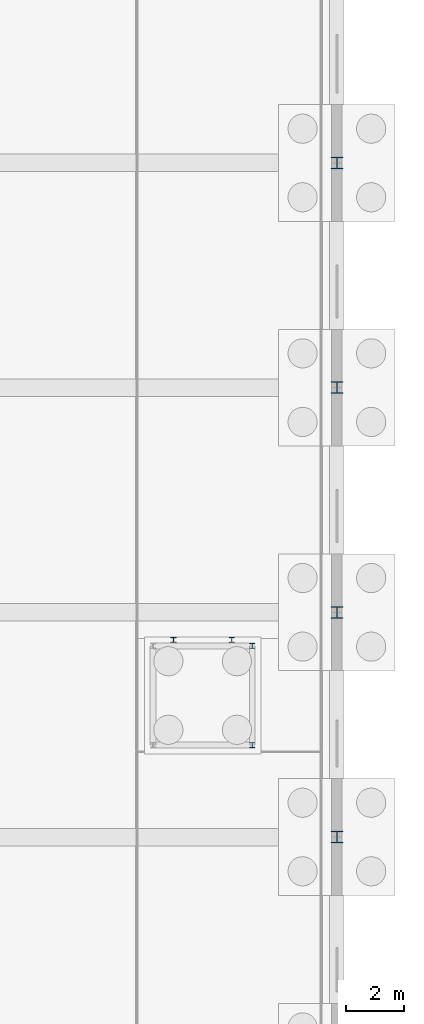
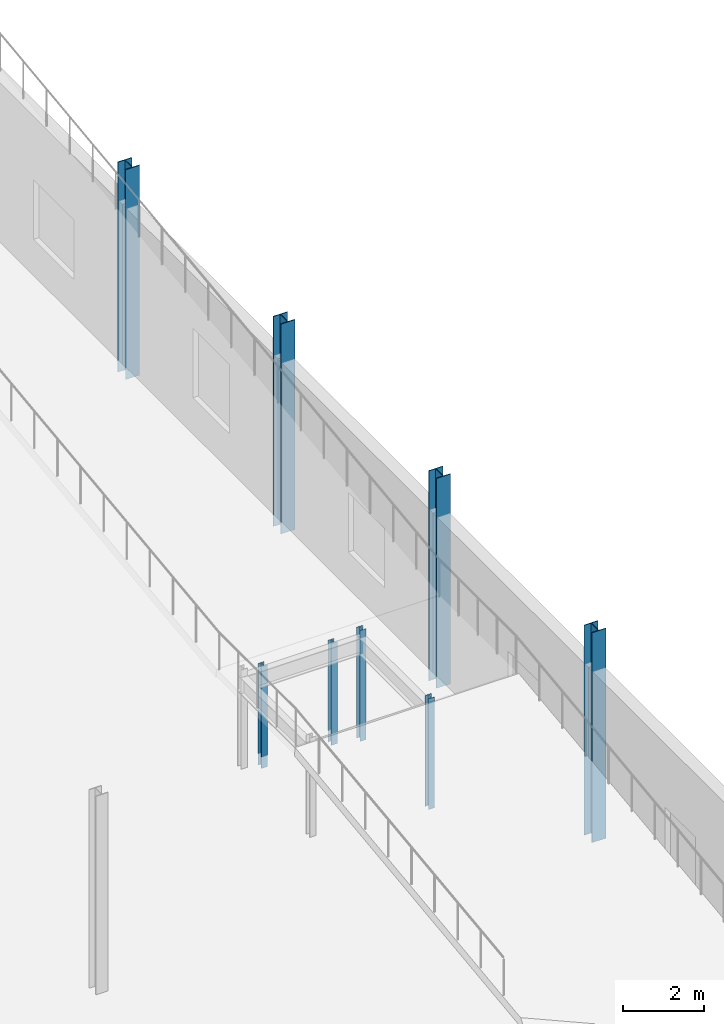
# One storey, part 39 of 139: 8 columns.
"""IFC4 building model written with IfcOpenShell, lengths in metres."""

from ifc_helpers import new_model, si_unit, direction, frame, origin, origin_2d, place, context, subcontext, project, spatial, i_section, extrude, material, material_profile, profile_set, type_object, element, save


model = new_model("IFC4")

# Units and contexts
model_context = context("Model", 3, precision=1e-05, world=origin(), true_north=direction((0.0, 1.0)))
body_context = subcontext(model_context, "Body", "Model", "MODEL_VIEW")
ifc_project = project(units=[si_unit("LENGTHUNIT", "METRE"), si_unit("AREAUNIT", "SQUARE_METRE"), si_unit("VOLUMEUNIT", "CUBIC_METRE"), si_unit("PLANEANGLEUNIT", "RADIAN"), si_unit("MASSUNIT", "GRAM", prefix="KILO")], contexts=[model_context])

# Site, building, storey
site_placement = place(None, origin())
site = spatial("IfcSite", under=ifc_project, at=site_placement, CompositionType="ELEMENT")
building_placement = place(site_placement, origin())
building = spatial("IfcBuilding", under=site, at=building_placement, Name="Kazenagashi Tramway Depot", CompositionType="ELEMENT")
storey_placement = place(building_placement, origin())
storey = spatial("IfcBuildingStorey", under=building, at=storey_placement, Name="L01", CompositionType="ELEMENT", Elevation=0.0)

# Columns
ifc_material_1 = material(Name="Steel SN490B", Category="steel")
ifc_material_profile_1 = material_profile(ifc_material_1, i_section(OverallWidth=0.4, OverallDepth=0.4, WebThickness=0.013, FlangeThickness=0.021, at=origin_2d()), Name="H-400x400x13x21")
ifc_profile_set_1 = profile_set([ifc_material_profile_1], Name="Steel SN490B")
column_type_1 = type_object("IfcColumnType", Name="C-03", PredefinedType="COLUMN", material=ifc_profile_set_1)
for number, where, z_axis, x_axis, name in (
    (1, (196.0, 23.1, -0.35), (0.0, 0.0, 1.0), (1.0, 0.0, 0.0), "Column C-03 COL-0510"),
    (2, (196.0, 30.8, -0.35), (0.0, 0.0, 1.0), (1.0, 0.0, 0.0), "Column C-03 COL-0512"),
    (3, (196.0, 38.5, -0.35), (0.0, 0.0, 1.0), (1.0, 0.0, 0.0), "Column C-03 COL-0514"),
    (4, (196.0, 46.2, -0.35), (0.0, 0.0, 1.0), (1.0, 0.0, 0.0), "Column C-03 COL-0517"),
):
    element("IfcColumn", number, at=place(storey_placement, frame(where, z_axis=z_axis, x_axis=x_axis)), inside=storey, type_object=column_type_1, Name=name, PredefinedType="COLUMN", context=body_context, shape_type="SweptSolid", body=[
        extrude(i_section(OverallWidth=0.4, OverallDepth=0.4, WebThickness=0.013, FlangeThickness=0.021, at=origin_2d()), origin(), (0.0, 0.0, 1.0), 6.35),
    ])
ifc_material_2 = material(Name="Steel SN400B", Category="steel")
ifc_material_profile_2 = material_profile(ifc_material_2, i_section(OverallWidth=0.175, OverallDepth=0.175, WebThickness=0.0075, FlangeThickness=0.011, at=origin_2d()), Name="H-175x175x7.5x11")
ifc_profile_set_2 = profile_set([ifc_material_profile_2], Name="Steel SN400B")
column_type_2 = type_object("IfcColumnType", Name="C-08", PredefinedType="COLUMN", material=ifc_profile_set_2)
for number, where, z_axis, x_axis, name in (
    (5, (193.1, 26.25, -0.35), (0.0, 0.0, 1.0), (1.0, 0.0, 0.0), "Column C-08 COL-0897"),
    (6, (193.1, 29.65, -0.35), (0.0, 0.0, 1.0), (1.0, 0.0, 0.0), "Column C-08 COL-0898"),
):
    element("IfcColumn", number, at=place(storey_placement, frame(where, z_axis=z_axis, x_axis=x_axis)), inside=storey, type_object=column_type_2, Name=name, PredefinedType="COLUMN", context=body_context, shape_type="SweptSolid", body=[
        extrude(i_section(OverallWidth=0.175, OverallDepth=0.175, WebThickness=0.0075, FlangeThickness=0.011, at=origin_2d()), origin(), (0.0, 0.0, 1.0), 3.35),
    ])
for number, where, z_axis, x_axis, name in (
    (7, (190.4, 29.86, -0.35), (0.0, 0.0, 1.0), (1.0, 0.0, 0.0), "Column C-08 COL-0899"),
    (8, (192.4, 29.86, -0.35), (0.0, 0.0, 1.0), (1.0, 0.0, 0.0), "Column C-08 COL-0900"),
):
    element("IfcColumn", number, at=place(storey_placement, frame(where, z_axis=z_axis, x_axis=x_axis)), inside=storey, type_object=column_type_2, Name=name, PredefinedType="COLUMN", context=body_context, shape_type="SweptSolid", body=[
        extrude(i_section(OverallWidth=0.175, OverallDepth=0.175, WebThickness=0.0075, FlangeThickness=0.011, at=origin_2d()), origin(), (0.0, 0.0, 1.0), 3.075),
    ])

save(model, "model.ifc")
